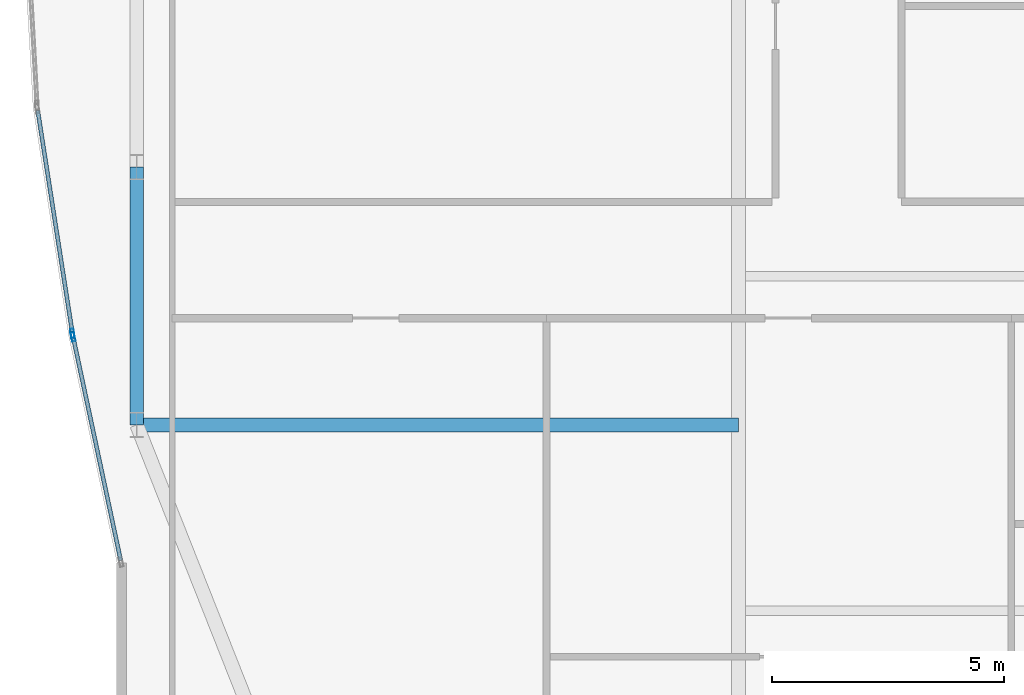
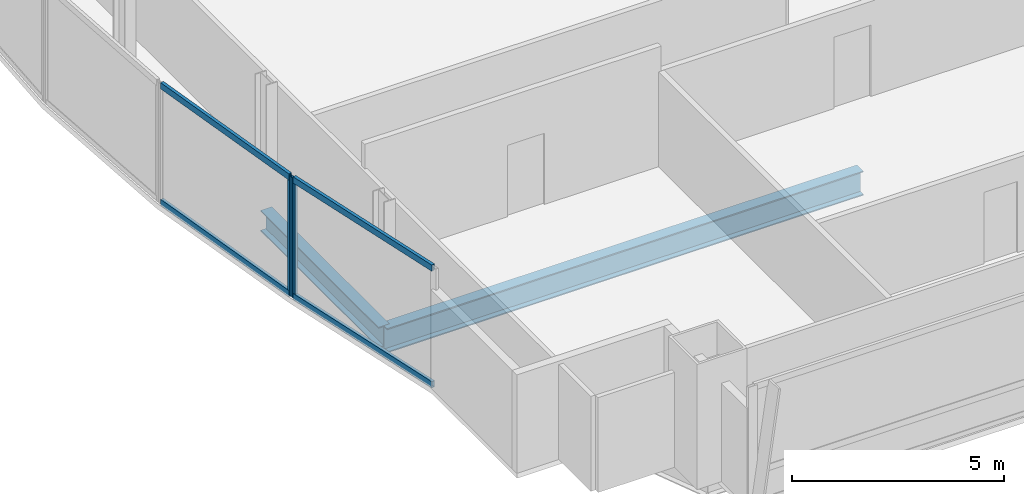
# One storey, part 6 of 29: 6 members, 2 beams, 2 elements without a shape of their own.
"""IFC4 building model written with IfcOpenShell, lengths in metres."""

from ifc_helpers import new_model, si_unit, direction, frame, origin, origin_2d, place, context, subcontext, project, spatial, hollow_rectangle, i_section, extrude, material, material_profile, profile_set, type_object, element, aggregate, save


model = new_model("IFC4")

# Units and contexts
model_context = context("Model", 3, precision=1e-05, world=origin(), true_north=direction((0.0, 1.0)))
body_context = subcontext(model_context, "Body", "Model", "MODEL_VIEW")
ifc_project = project(units=[si_unit("LENGTHUNIT", "METRE"), si_unit("AREAUNIT", "SQUARE_METRE"), si_unit("VOLUMEUNIT", "CUBIC_METRE"), si_unit("PLANEANGLEUNIT", "RADIAN"), si_unit("MASSUNIT", "GRAM", prefix="KILO")], contexts=[model_context])

# Site, building, storey
site_placement = place(None, origin())
site = spatial("IfcSite", under=ifc_project, at=site_placement, CompositionType="ELEMENT")
building_placement = place(site_placement, origin())
building = spatial("IfcBuilding", under=site, at=building_placement, Name="Khoronbel Lancet Exchange", CompositionType="ELEMENT")
storey_placement = place(building_placement, frame((0.0, 0.0, 165.0)))
storey = spatial("IfcBuildingStorey", under=building, at=storey_placement, Name="L41", CompositionType="ELEMENT", Elevation=165.0)

# Beams
ifc_material_1 = material(Name="Steel S355", Category="steel")
ifc_material_profile_1 = material_profile(ifc_material_1, i_section(OverallWidth=0.300048828125, OverallDepth=0.699951171875, WebThickness=0.01708984375, FlangeThickness=0.031982421875, at=origin_2d()), Name="HEB 700")
ifc_profile_set_1 = profile_set([ifc_material_profile_1], Name="Steel S355")
beam_type_1 = type_object("IfcBeamType", Name="BM-BG3", PredefinedType="BEAM", material=ifc_profile_set_1)
beam_1_placement = place(storey_placement, frame((5.27001953125, 19.199951171875, -0.510009765625), z_axis=(1.0, 0.0, 0.0), x_axis=(0.0, 1.0, 0.0)))
element("IfcBeam", 1, at=beam_1_placement, inside=storey, type_object=beam_type_1, Name="Level L41 west lens tie girder LG1W", PredefinedType="BEAM", context=body_context, shape_type="SweptSolid", body=[
    extrude(i_section(OverallWidth=0.300048828125, OverallDepth=0.699951171875, WebThickness=0.01708984375, FlangeThickness=0.031982421875, at=origin_2d()), origin(), (0.0, 0.0, 1.0), 12.955078125),
])
ifc_material_profile_2 = material_profile(ifc_material_1, i_section(OverallWidth=0.300048828125, OverallDepth=0.60009765625, WebThickness=0.015380859375, FlangeThickness=0.030029296875, at=origin_2d()), Name="HEB 600")
ifc_profile_set_2 = profile_set([ifc_material_profile_2], Name="Steel S355")
beam_type_2 = type_object("IfcBeamType", Name="BM-BSP2", PredefinedType="SPANDREL", material=ifc_profile_set_2)
beam_2_placement = place(storey_placement, frame((5.27001953125, 24.75, -0.4599609375), z_axis=(0.0, -1.0, 0.0), x_axis=(1.0, 0.0, 0.0)))
element("IfcBeam", 2, at=beam_2_placement, inside=storey, type_object=beam_type_2, Name="Level L41 perimeter spandrel beam SP20", PredefinedType="SPANDREL", context=body_context, shape_type="SweptSolid", body=[
    extrude(i_section(OverallWidth=0.300048828125, OverallDepth=0.60009765625, WebThickness=0.015380859375, FlangeThickness=0.030029296875, at=origin_2d()), origin(), (0.0, 0.0, 1.0), 5.550048828125),
])

# Curtain wall, member
ifc_material_2 = material(Name="Low-E Solar Control Insulating Glass", Category="glass")
curtain_wall_type = type_object("IfcCurtainWallType", Name="CW-4", PredefinedType="NOTDEFINED", material=ifc_material_2)
curtain_wall_1_placement = place(storey_placement, origin())
curtain_wall_1 = element("IfcCurtainWall", 3, at=curtain_wall_1_placement, inside=storey, type_object=curtain_wall_type, Name="Unitised curtain wall CW-L41-E04", PredefinedType="NOTDEFINED")
ifc_material_3 = material(Name="Bronze-Anodised Aluminium 6063-T6", Category="aluminium")
ifc_material_profile_3 = material_profile(ifc_material_3, hollow_rectangle(XDim=0.074951171875, YDim=0.199951171875, WallThickness=0.0048828125, at=origin_2d()), Name="ALU MULLION 75x200")
ifc_profile_set_3 = profile_set([ifc_material_profile_3], Name="Bronze-Anodised Aluminium 6063-T6")
member_type_1 = type_object("IfcMemberType", Name="MEM-CWM2", PredefinedType="MULLION", material=ifc_profile_set_3)
member_1_placement = place(storey_placement, frame((3.8994140625, 21.096435546875, 0.0), z_axis=(0.0, 0.0, 1.0), x_axis=(-0.978075720441, -0.208249574031, 0.0)))
member_1 = element("IfcMember", 4, at=member_1_placement, type_object=member_type_1, Name="CW4 mullion 2", PredefinedType="MULLION", context=body_context, shape_type="SweptSolid", body=[
    extrude(hollow_rectangle(XDim=0.074951171875, YDim=0.199951171875, WallThickness=0.0048828125, at=origin_2d()), origin(), (0.0, 0.0, 1.0), 3.43994140625),
])

curtain_wall_2_placement = place(storey_placement, origin())
curtain_wall_2 = element("IfcCurtainWall", 5, at=curtain_wall_2_placement, inside=storey, type_object=curtain_wall_type, Name="Unitised curtain wall CW-L41-E05", PredefinedType="NOTDEFINED")
member_2_placement = place(storey_placement, frame((3.885986328125, 21.170166015625, 0.0), z_axis=(0.0, 0.0, 1.0), x_axis=(-0.988068944091, -0.154012212903, 0.0)))
member_2 = element("IfcMember", 6, at=member_2_placement, type_object=member_type_1, Name="CW4 mullion 1", PredefinedType="MULLION", context=body_context, shape_type="SweptSolid", body=[
    extrude(hollow_rectangle(XDim=0.074951171875, YDim=0.199951171875, WallThickness=0.0048828125, at=origin_2d()), origin(), (0.0, 0.0, 1.0), 3.43994140625),
])

# Member
ifc_material_profile_4 = material_profile(ifc_material_3, hollow_rectangle(XDim=0.0849609375, YDim=0.179931640625, WallThickness=0.0048828125, at=origin_2d()), Name="ALU TRANSOM 85x180")
ifc_profile_set_4 = profile_set([ifc_material_profile_4], Name="Bronze-Anodised Aluminium 6063-T6")
member_type_2 = type_object("IfcMemberType", Name="MEM-CWT1", PredefinedType="USERDEFINED", material=ifc_profile_set_4)
member_3_placement = place(storey_placement, frame((4.92431640625, 16.282958984375, 0.04248046875), z_axis=(-0.208262312878, 0.978073008029, 0.0), x_axis=(-0.978073008029, -0.208262312878, 0.0)))
member_3 = element("IfcMember", 7, at=member_3_placement, type_object=member_type_2, Name="CW4 transom 1.1", ObjectType="TRANSOM", PredefinedType="USERDEFINED", context=body_context, shape_type="SweptSolid", body=[
    extrude(hollow_rectangle(XDim=0.0849609375, YDim=0.179931640625, WallThickness=0.0048828125, at=origin_2d()), origin(), (0.0, 0.0, 1.0), 4.8837890625),
])

member_4_placement = place(storey_placement, frame((4.92431640625, 16.282958984375, 3.3974609375), z_axis=(-0.208262312878, 0.978073008029, 0.0), x_axis=(-0.978073008029, -0.208262312878, 0.0)))
member_4 = element("IfcMember", 8, at=member_4_placement, type_object=member_type_2, Name="CW4 transom 1.2", ObjectType="TRANSOM", PredefinedType="USERDEFINED", context=body_context, shape_type="SweptSolid", body=[
    extrude(hollow_rectangle(XDim=0.0849609375, YDim=0.179931640625, WallThickness=0.0048828125, at=origin_2d()), origin(), (0.0, 0.0, 1.0), 4.8837890625),
])

aggregate(curtain_wall_1, [member_1, member_3, member_4])

member_5_placement = place(storey_placement, frame((3.880126953125, 21.20703125, 0.04248046875), z_axis=(-0.154005975471, 0.988069916311, 0.0), x_axis=(-0.988069916311, -0.154005975471, 0.0)))
member_5 = element("IfcMember", 9, at=member_5_placement, type_object=member_type_2, Name="CW4 transom 1.1", ObjectType="TRANSOM", PredefinedType="USERDEFINED", context=body_context, shape_type="SweptSolid", body=[
    extrude(hollow_rectangle(XDim=0.0849609375, YDim=0.179931640625, WallThickness=0.0048828125, at=origin_2d()), origin(), (0.0, 0.0, 1.0), 4.819091796875),
])

member_6_placement = place(storey_placement, frame((3.880126953125, 21.20703125, 3.3974609375), z_axis=(-0.154005975471, 0.988069916311, 0.0), x_axis=(-0.988069916311, -0.154005975471, 0.0)))
member_6 = element("IfcMember", 10, at=member_6_placement, type_object=member_type_2, Name="CW4 transom 1.2", ObjectType="TRANSOM", PredefinedType="USERDEFINED", context=body_context, shape_type="SweptSolid", body=[
    extrude(hollow_rectangle(XDim=0.0849609375, YDim=0.179931640625, WallThickness=0.0048828125, at=origin_2d()), origin(), (0.0, 0.0, 1.0), 4.819091796875),
])

aggregate(curtain_wall_2, [member_2, member_5, member_6])

save(model, "model.ifc")
